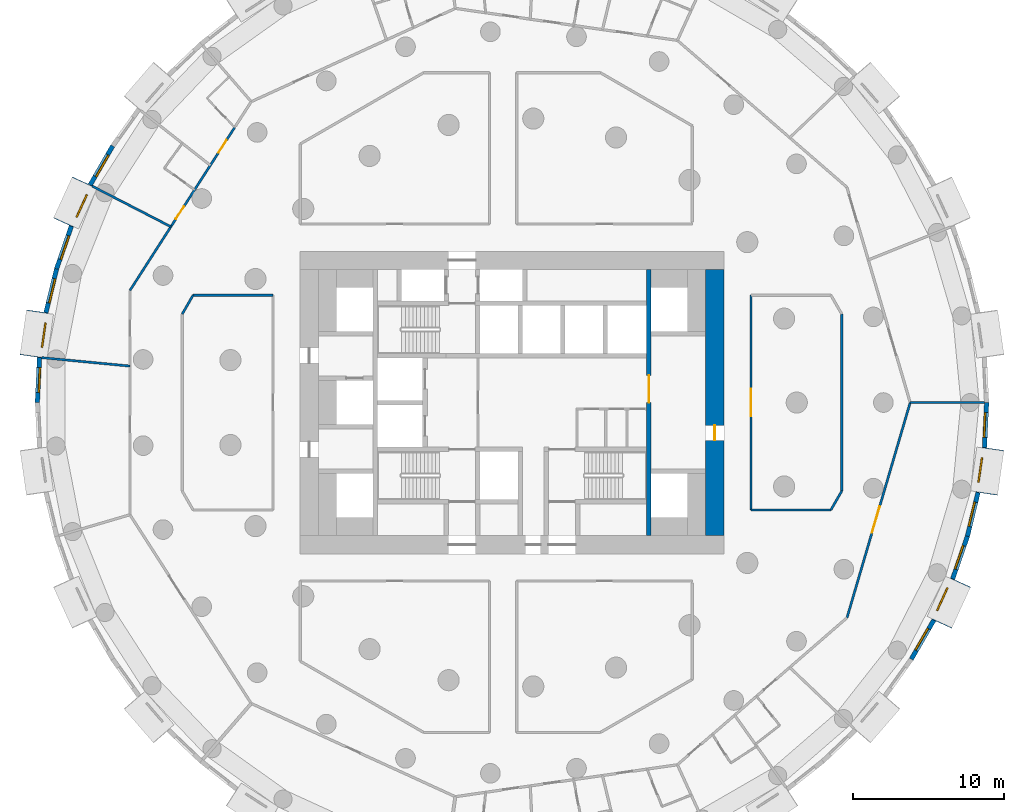
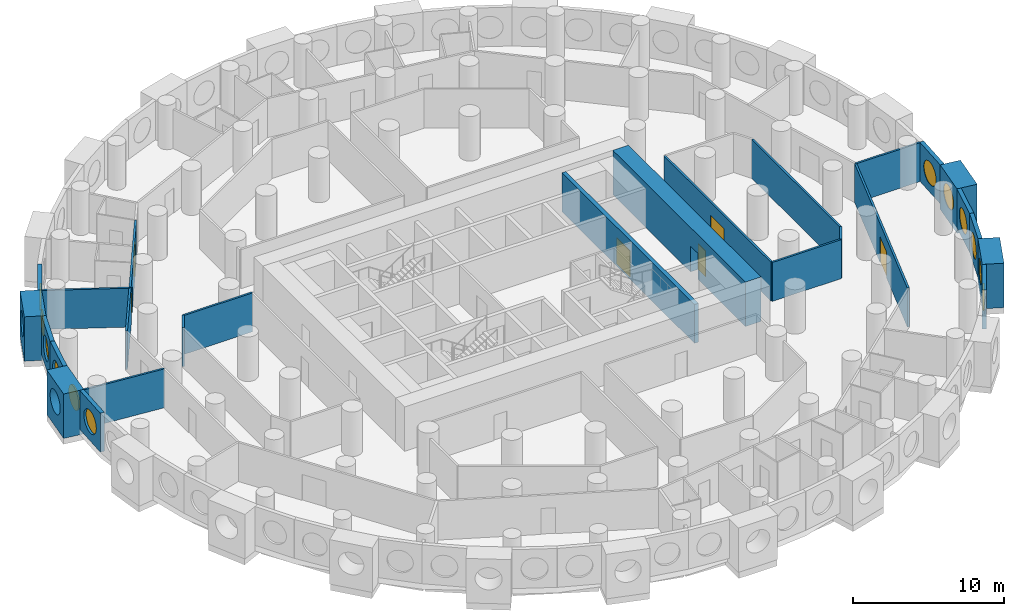
# One storey, part 6 of 11: 25 walls, 12 windows, 6 doors, 18 openings.
"""IFC4 building model written with IfcOpenShell, lengths in metres."""

from ifc_helpers import new_model, si_unit, direction, frame, frame_2d, origin, origin_2d, place, context, subcontext, project, spatial, rectangle, circle, extrude, material, layer, layer_set, type_object, element, fill, save


model = new_model("IFC4")

# Units and contexts
model_context = context("Model", 3, precision=1e-05, world=origin(), true_north=direction((0.0, 1.0)))
body_context = subcontext(model_context, "Body", "Model", "MODEL_VIEW")
ifc_project = project(units=[si_unit("LENGTHUNIT", "METRE"), si_unit("AREAUNIT", "SQUARE_METRE"), si_unit("VOLUMEUNIT", "CUBIC_METRE"), si_unit("PLANEANGLEUNIT", "RADIAN"), si_unit("MASSUNIT", "GRAM", prefix="KILO")], contexts=[model_context])

# Site, building, storey
site_placement = place(None, origin())
site = spatial("IfcSite", under=ifc_project, at=site_placement, CompositionType="ELEMENT")
building_placement = place(site_placement, origin())
building = spatial("IfcBuilding", under=site, at=building_placement, Name="Tracery Tower", CompositionType="ELEMENT")
storey_placement = place(building_placement, frame((0.0, 0.0, 100.199951171875)))
storey = spatial("IfcBuildingStorey", under=building, at=storey_placement, Name="L25", CompositionType="ELEMENT", Elevation=100.199951171875)

# Wall, opening, door
ifc_material_1 = material(Name="Concrete C60/75", Category="concrete")
ifc_layer_1 = layer(ifc_material_1, 1.199951171875)
ifc_layer_set_1 = layer_set([ifc_layer_1], Name="Core wall 1200 C60")
wall_type_1 = type_object("IfcWallType", Name="Core wall 1200 C60", PredefinedType="SOLIDWALL", material=ifc_layer_set_1)
wall_1_placement = place(storey_placement, frame((13.39990234375, -8.800048828125, 0.0), z_axis=(0.0, 0.0, 1.0), x_axis=(0.0, 1.0, 0.0)))
wall_1 = element("IfcWall", 1, at=wall_1_placement, inside=storey, type_object=wall_type_1, Name="L25 outer E", PredefinedType="SOLIDWALL", context=body_context, shape_type="SweptSolid", body=[
    extrude(rectangle(XDim=17.60009765625, YDim=1.199951171875, at=frame_2d((8.800048828125, 0.0))), origin(), (0.0, 0.0, 1.0), 3.60009765625),
])
opening_1_placement = place(wall_1_placement, frame((6.300048828125, 0.0, 0.0)))
opening_1 = element("IfcOpeningElement", 2, at=opening_1_placement, cuts=wall_1, Name="Opening KD18", PredefinedType="OPENING", context=body_context, shape_type="SweptSolid", body=[
    extrude(rectangle(XDim=1.0, YDim=2.10009765625, at=frame_2d((0.5, 1.050048828125))), frame((0.0, 0.60009765625, 0.0), z_axis=(0.0, -1.0, 0.0), x_axis=(1.0, 0.0, 0.0)), (0.0, 0.0, 1.0), 1.199951171875),
])
ifc_material_2 = material(Name="Steel fire door", Category="steel")
door_type_1 = type_object("IfcDoorType", Name="Core exit door 1000", OperationType="NOTDEFINED", PredefinedType="DOOR", material=ifc_material_2)
door_1_placement = place(opening_1_placement, origin())
door_1 = element("IfcDoor", 3, at=door_1_placement, inside=storey, type_object=door_type_1, Name="Core exit door", OperationType="DOUBLE_DOOR_SINGLE_SWING", OverallHeight=2.10009765625, OverallWidth=1.0, PredefinedType="DOOR", context=body_context, shape_type="SweptSolid", body=[
    extrude(rectangle(XDim=1.0, YDim=2.10009765625, at=frame_2d((0.5, 1.050048828125))), frame((0.0, 0.02490234375, 0.0), z_axis=(0.0, -1.0, 0.0), x_axis=(1.0, 0.0, 0.0)), (0.0, 0.0, 1.0), 0.050048828125),
])
fill(opening_1, door_1)

# Wall, opening, window
ifc_material_3 = material(Name="Precast concrete C50/60", Category="concrete")
ifc_layer_2 = layer(ifc_material_3, 1.449951171875)
ifc_layer_set_2 = layer_set([ifc_layer_2], Name="Deep-set bay unit 3000 x 3600, slab edge 450")
wall_type_2 = type_object("IfcWallType", Name="Deep-set bay unit 3000 x 3600, slab edge 450", PredefinedType="ELEMENTEDWALL", material=ifc_layer_set_2)
wall_2_placement = place(storey_placement, frame((-28.40673828125, 14.6220703125, -0.449951171875), z_axis=(0.0, 0.0, 1.0), x_axis=(-0.415427028395, -0.909626508012, 0.0)))
wall_2 = element("IfcWall", 4, at=wall_2_placement, inside=storey, type_object=wall_type_2, Name="Deep-set bay unit 29 at L25", PredefinedType="ELEMENTEDWALL", context=body_context, shape_type="SweptSolid", body=[
    extrude(rectangle(XDim=3.000244140625, YDim=1.449951171875, at=frame_2d((1.5, 0.0))), origin(), (0.0, 0.0, 1.0), 3.60009765625),
])
opening_2_placement = place(wall_2_placement, frame((1.5, 0.0, 2.0)))
opening_2 = element("IfcOpeningElement", 5, at=opening_2_placement, cuts=wall_2, Name="Opening WN1", PredefinedType="OPENING", context=body_context, shape_type="SweptSolid", body=[
    extrude(circle(Radius=0.9000244140625, at=origin_2d()), frame((0.0, 0.73486328125, 0.0), z_axis=(0.0, -1.0, 0.0), x_axis=(1.0, 0.0, 0.0)), (0.0, 0.0, 1.0), 1.469970703125),
])
ifc_material_4 = material(Name="Aluminium frame with tinted double glazing", Category="aluminium")
window_type = type_object("IfcWindowType", Name="Round window 1800", PartitioningType="SINGLE_PANEL", PredefinedType="WINDOW", material=ifc_material_4)
window_1_placement = place(opening_2_placement, origin())
window_1 = element("IfcWindow", 6, at=window_1_placement, inside=storey, type_object=window_type, Name="Round window 29 at L25", OverallHeight=1.800048828125, OverallWidth=1.800048828125, PartitioningType="SINGLE_PANEL", PredefinedType="WINDOW", context=body_context, shape_type="SweptSolid", body=[
    extrude(circle(Radius=0.9000244140625, at=origin_2d()), frame((0.0, 0.69482421875, 0.0), z_axis=(0.0, -1.0, 0.0), x_axis=(1.0, 0.0, 0.0)), (0.0, 0.0, 1.0), 0.10009765625),
])
fill(opening_2, window_1)

wall_3_placement = place(storey_placement, frame((-31.37548828125, 6.026611328125, -0.449951171875), z_axis=(0.0, 0.0, 1.0), x_axis=(-0.142332746704, -0.989818866872, 0.0)))
wall_3 = element("IfcWall", 7, at=wall_3_placement, inside=storey, type_object=wall_type_2, Name="Deep-set bay unit 32 at L25", PredefinedType="ELEMENTEDWALL", context=body_context, shape_type="SweptSolid", body=[
    extrude(rectangle(XDim=3.0, YDim=1.449951171875, at=frame_2d((1.5, 0.0))), origin(), (0.0, 0.0, 1.0), 3.60009765625),
])
opening_3_placement = place(wall_3_placement, frame((1.5, 0.0, 2.0)))
opening_3 = element("IfcOpeningElement", 8, at=opening_3_placement, cuts=wall_3, Name="Opening WN1", PredefinedType="OPENING", context=body_context, shape_type="SweptSolid", body=[
    extrude(circle(Radius=0.9000244140625, at=origin_2d()), frame((0.0, 0.73486328125, 0.0), z_axis=(0.0, -1.0, 0.0), x_axis=(1.0, 0.0, 0.0)), (0.0, 0.0, 1.0), 1.469970703125),
])
window_2_placement = place(opening_3_placement, origin())
window_2 = element("IfcWindow", 9, at=window_2_placement, inside=storey, type_object=window_type, Name="Round window 32 at L25", OverallHeight=1.800048828125, OverallWidth=1.800048828125, PartitioningType="SINGLE_PANEL", PredefinedType="WINDOW", context=body_context, shape_type="SweptSolid", body=[
    extrude(circle(Radius=0.9000244140625, at=origin_2d()), frame((0.0, 0.69482421875, 0.0), z_axis=(0.0, -1.0, 0.0), x_axis=(1.0, 0.0, 0.0)), (0.0, 0.0, 1.0), 0.10009765625),
])
fill(opening_3, window_2)

wall_4_placement = place(storey_placement, frame((28.40673828125, -14.6220703125, -0.449951171875), z_axis=(0.0, 0.0, 1.0), x_axis=(0.415427028395, 0.909626508012, 0.0)))
wall_4 = element("IfcWall", 10, at=wall_4_placement, inside=storey, type_object=wall_type_2, Name="Deep-set bay unit 62 at L25", PredefinedType="ELEMENTEDWALL", context=body_context, shape_type="SweptSolid", body=[
    extrude(rectangle(XDim=3.000244140625, YDim=1.449951171875, at=frame_2d((1.5, 0.0))), origin(), (0.0, 0.0, 1.0), 3.60009765625),
])
opening_4_placement = place(wall_4_placement, frame((1.5, 0.0, 2.0)))
opening_4 = element("IfcOpeningElement", 11, at=opening_4_placement, cuts=wall_4, Name="Opening WN1", PredefinedType="OPENING", context=body_context, shape_type="SweptSolid", body=[
    extrude(circle(Radius=0.9000244140625, at=origin_2d()), frame((0.0, 0.73486328125, 0.0), z_axis=(0.0, -1.0, 0.0), x_axis=(1.0, 0.0, 0.0)), (0.0, 0.0, 1.0), 1.469970703125),
])
window_3_placement = place(opening_4_placement, origin())
window_3 = element("IfcWindow", 12, at=window_3_placement, inside=storey, type_object=window_type, Name="Round window 62 at L25", OverallHeight=1.800048828125, OverallWidth=1.800048828125, PartitioningType="SINGLE_PANEL", PredefinedType="WINDOW", context=body_context, shape_type="SweptSolid", body=[
    extrude(circle(Radius=0.9000244140625, at=origin_2d()), frame((0.0, 0.69482421875, 0.0), z_axis=(0.0, -1.0, 0.0), x_axis=(1.0, 0.0, 0.0)), (0.0, 0.0, 1.0), 0.10009765625),
])
fill(opening_4, window_3)

wall_5_placement = place(storey_placement, frame((31.37548828125, -6.026611328125, -0.449951171875), z_axis=(0.0, 0.0, 1.0), x_axis=(0.142332746704, 0.989818866872, 0.0)))
wall_5 = element("IfcWall", 13, at=wall_5_placement, inside=storey, type_object=wall_type_2, Name="Deep-set bay unit 65 at L25", PredefinedType="ELEMENTEDWALL", context=body_context, shape_type="SweptSolid", body=[
    extrude(rectangle(XDim=3.0, YDim=1.449951171875, at=frame_2d((1.5, 0.0))), origin(), (0.0, 0.0, 1.0), 3.60009765625),
])
opening_5_placement = place(wall_5_placement, frame((1.5, 0.0, 2.0)))
opening_5 = element("IfcOpeningElement", 14, at=opening_5_placement, cuts=wall_5, Name="Opening WN1", PredefinedType="OPENING", context=body_context, shape_type="SweptSolid", body=[
    extrude(circle(Radius=0.9000244140625, at=origin_2d()), frame((0.0, 0.73486328125, 0.0), z_axis=(0.0, -1.0, 0.0), x_axis=(1.0, 0.0, 0.0)), (0.0, 0.0, 1.0), 1.469970703125),
])
window_4_placement = place(opening_5_placement, origin())
window_4 = element("IfcWindow", 15, at=window_4_placement, inside=storey, type_object=window_type, Name="Round window 65 at L25", OverallHeight=1.800048828125, OverallWidth=1.800048828125, PartitioningType="SINGLE_PANEL", PredefinedType="WINDOW", context=body_context, shape_type="SweptSolid", body=[
    extrude(circle(Radius=0.9000244140625, at=origin_2d()), frame((0.0, 0.69482421875, 0.0), z_axis=(0.0, -1.0, 0.0), x_axis=(1.0, 0.0, 0.0)), (0.0, 0.0, 1.0), 0.10009765625),
])
fill(opening_5, window_4)

ifc_material_5 = material(Name="Precast concrete C50/60", Category="concrete")
ifc_layer_3 = layer(ifc_material_5, 0.300048828125)
ifc_layer_set_3 = layer_set([ifc_layer_3], Name="Facade panel 3000 x 3150")
wall_type_3 = type_object("IfcWallType", Name="Facade panel 3000 x 3150", PredefinedType="SOLIDWALL", material=ifc_layer_set_3)
wall_6_placement = place(storey_placement, frame((-26.393798828125, 16.96240234375, 0.0), z_axis=(0.0, 0.0, 1.0), x_axis=(-0.500025049464, -0.866010940986, 0.0)))
wall_6 = element("IfcWall", 16, at=wall_6_placement, inside=storey, type_object=wall_type_3, Name="Facade panel 28 at L25", PredefinedType="SOLIDWALL", context=body_context, shape_type="SweptSolid", body=[
    extrude(rectangle(XDim=2.979736328125, YDim=0.300048828125, at=frame_2d((1.48974609375, 0.0))), origin(), (0.0, 0.0, 1.0), 3.150146484375),
])
opening_6_placement = place(wall_6_placement, frame((1.48974609375, 0.0, 1.5498046875)))
opening_6 = element("IfcOpeningElement", 17, at=opening_6_placement, cuts=wall_6, Name="Opening WN1", PredefinedType="OPENING", context=body_context, shape_type="SweptSolid", body=[
    extrude(circle(Radius=0.9000244140625, at=origin_2d()), frame((0.0, 0.159912109375, 0.0), z_axis=(0.0, -1.0, 0.0), x_axis=(1.0, 0.0, 0.0)), (0.0, 0.0, 1.0), 0.320068359375),
])
window_5_placement = place(opening_6_placement, origin())
window_5 = element("IfcWindow", 18, at=window_5_placement, inside=storey, type_object=window_type, Name="Round window 28 at L25", OverallHeight=1.800048828125, OverallWidth=1.800048828125, PartitioningType="SINGLE_PANEL", PredefinedType="WINDOW", context=body_context, shape_type="SweptSolid", body=[
    extrude(circle(Radius=0.9000244140625, at=origin_2d()), frame((0.0, 0.1201171875, 0.0), z_axis=(0.0, -1.0, 0.0), x_axis=(1.0, 0.0, 0.0)), (0.0, 0.0, 1.0), 0.10009765625),
])
fill(opening_6, window_5)

wall_7_placement = place(storey_placement, frame((-29.12890625, 11.655029296875, 0.0), z_axis=(0.0, 0.0, 1.0), x_axis=(-0.327071167136, -0.944999709856, 0.0)))
wall_7 = element("IfcWall", 19, at=wall_7_placement, inside=storey, type_object=wall_type_3, Name="Facade panel 30 at L25", PredefinedType="SOLIDWALL", context=body_context, shape_type="SweptSolid", body=[
    extrude(rectangle(XDim=2.979736328125, YDim=0.300048828125, at=frame_2d((1.48974609375, 0.0))), origin(), (0.0, 0.0, 1.0), 3.150146484375),
])
opening_7_placement = place(wall_7_placement, frame((1.48974609375, 0.0, 1.5498046875)))
opening_7 = element("IfcOpeningElement", 20, at=opening_7_placement, cuts=wall_7, Name="Opening WN1", PredefinedType="OPENING", context=body_context, shape_type="SweptSolid", body=[
    extrude(circle(Radius=0.9000244140625, at=origin_2d()), frame((0.0, 0.159912109375, 0.0), z_axis=(0.0, -1.0, 0.0), x_axis=(1.0, 0.0, 0.0)), (0.0, 0.0, 1.0), 0.320068359375),
])
window_6_placement = place(opening_7_placement, origin())
window_6 = element("IfcWindow", 21, at=window_6_placement, inside=storey, type_object=window_type, Name="Round window 30 at L25", OverallHeight=1.800048828125, OverallWidth=1.800048828125, PartitioningType="SINGLE_PANEL", PredefinedType="WINDOW", context=body_context, shape_type="SweptSolid", body=[
    extrude(circle(Radius=0.9000244140625, at=origin_2d()), frame((0.0, 0.1201171875, 0.0), z_axis=(0.0, -1.0, 0.0), x_axis=(1.0, 0.0, 0.0)), (0.0, 0.0, 1.0), 0.10009765625),
])
fill(opening_7, window_6)

wall_8_placement = place(storey_placement, frame((-30.103515625, 8.839111328125, 0.0), z_axis=(0.0, 0.0, 1.0), x_axis=(-0.235743081534, -0.971815414319, 0.0)))
wall_8 = element("IfcWall", 22, at=wall_8_placement, inside=storey, type_object=wall_type_3, Name="Facade panel 31 at L25", PredefinedType="SOLIDWALL", context=body_context, shape_type="SweptSolid", body=[
    extrude(rectangle(XDim=2.9794921875, YDim=0.300048828125, at=frame_2d((1.48974609375, 0.0))), origin(), (0.0, 0.0, 1.0), 3.150146484375),
])
opening_8_placement = place(wall_8_placement, frame((1.48974609375, 0.0, 1.5498046875)))
opening_8 = element("IfcOpeningElement", 23, at=opening_8_placement, cuts=wall_8, Name="Opening WN1", PredefinedType="OPENING", context=body_context, shape_type="SweptSolid", body=[
    extrude(circle(Radius=0.9000244140625, at=origin_2d()), frame((0.0, 0.159912109375, 0.0), z_axis=(0.0, -1.0, 0.0), x_axis=(1.0, 0.0, 0.0)), (0.0, 0.0, 1.0), 0.320068359375),
])
window_7_placement = place(opening_8_placement, origin())
window_7 = element("IfcWindow", 24, at=window_7_placement, inside=storey, type_object=window_type, Name="Round window 31 at L25", OverallHeight=1.800048828125, OverallWidth=1.800048828125, PartitioningType="SINGLE_PANEL", PredefinedType="WINDOW", context=body_context, shape_type="SweptSolid", body=[
    extrude(circle(Radius=0.9000244140625, at=origin_2d()), frame((0.0, 0.1201171875, 0.0), z_axis=(0.0, -1.0, 0.0), x_axis=(1.0, 0.0, 0.0)), (0.0, 0.0, 1.0), 0.10009765625),
])
fill(opening_8, window_7)

wall_9_placement = place(storey_placement, frame((-31.232666015625, 2.976318359375, 0.0), z_axis=(0.0, 0.0, 1.0), x_axis=(-0.047604077644, -0.998866283239, 0.0)))
wall_9 = element("IfcWall", 25, at=wall_9_placement, inside=storey, type_object=wall_type_3, Name="Facade panel 33 at L25", PredefinedType="SOLIDWALL", context=body_context, shape_type="SweptSolid", body=[
    extrude(rectangle(XDim=2.979736328125, YDim=0.300048828125, at=frame_2d((1.48974609375, 0.0))), origin(), (0.0, 0.0, 1.0), 3.150146484375),
])
opening_9_placement = place(wall_9_placement, frame((1.48974609375, 0.0, 1.5498046875)))
opening_9 = element("IfcOpeningElement", 26, at=opening_9_placement, cuts=wall_9, Name="Opening WN1", PredefinedType="OPENING", context=body_context, shape_type="SweptSolid", body=[
    extrude(circle(Radius=0.9000244140625, at=origin_2d()), frame((0.0, 0.159912109375, 0.0), z_axis=(0.0, -1.0, 0.0), x_axis=(1.0, 0.0, 0.0)), (0.0, 0.0, 1.0), 0.320068359375),
])
window_8_placement = place(opening_9_placement, origin())
window_8 = element("IfcWindow", 27, at=window_8_placement, inside=storey, type_object=window_type, Name="Round window 33 at L25", OverallHeight=1.800048828125, OverallWidth=1.800048828125, PartitioningType="SINGLE_PANEL", PredefinedType="WINDOW", context=body_context, shape_type="SweptSolid", body=[
    extrude(circle(Radius=0.9000244140625, at=origin_2d()), frame((0.0, 0.1201171875, 0.0), z_axis=(0.0, -1.0, 0.0), x_axis=(1.0, 0.0, 0.0)), (0.0, 0.0, 1.0), 0.10009765625),
])
fill(opening_9, window_8)

wall_10_placement = place(storey_placement, frame((26.393798828125, -16.96240234375, 0.0), z_axis=(0.0, 0.0, 1.0), x_axis=(0.500025049464, 0.866010940986, 0.0)))
wall_10 = element("IfcWall", 28, at=wall_10_placement, inside=storey, type_object=wall_type_3, Name="Facade panel 61 at L25", PredefinedType="SOLIDWALL", context=body_context, shape_type="SweptSolid", body=[
    extrude(rectangle(XDim=2.979736328125, YDim=0.300048828125, at=frame_2d((1.48974609375, 0.0))), origin(), (0.0, 0.0, 1.0), 3.150146484375),
])
opening_10_placement = place(wall_10_placement, frame((1.48974609375, 0.0, 1.5498046875)))
opening_10 = element("IfcOpeningElement", 29, at=opening_10_placement, cuts=wall_10, Name="Opening WN1", PredefinedType="OPENING", context=body_context, shape_type="SweptSolid", body=[
    extrude(circle(Radius=0.9000244140625, at=origin_2d()), frame((0.0, 0.159912109375, 0.0), z_axis=(0.0, -1.0, 0.0), x_axis=(1.0, 0.0, 0.0)), (0.0, 0.0, 1.0), 0.320068359375),
])
window_9_placement = place(opening_10_placement, origin())
window_9 = element("IfcWindow", 30, at=window_9_placement, inside=storey, type_object=window_type, Name="Round window 61 at L25", OverallHeight=1.800048828125, OverallWidth=1.800048828125, PartitioningType="SINGLE_PANEL", PredefinedType="WINDOW", context=body_context, shape_type="SweptSolid", body=[
    extrude(circle(Radius=0.9000244140625, at=origin_2d()), frame((0.0, 0.1201171875, 0.0), z_axis=(0.0, -1.0, 0.0), x_axis=(1.0, 0.0, 0.0)), (0.0, 0.0, 1.0), 0.10009765625),
])
fill(opening_10, window_9)

wall_11_placement = place(storey_placement, frame((29.12890625, -11.655029296875, 0.0), z_axis=(0.0, 0.0, 1.0), x_axis=(0.327071167136, 0.944999709856, 0.0)))
wall_11 = element("IfcWall", 31, at=wall_11_placement, inside=storey, type_object=wall_type_3, Name="Facade panel 63 at L25", PredefinedType="SOLIDWALL", context=body_context, shape_type="SweptSolid", body=[
    extrude(rectangle(XDim=2.979736328125, YDim=0.300048828125, at=frame_2d((1.48974609375, 0.0))), origin(), (0.0, 0.0, 1.0), 3.150146484375),
])
opening_11_placement = place(wall_11_placement, frame((1.48974609375, 0.0, 1.5498046875)))
opening_11 = element("IfcOpeningElement", 32, at=opening_11_placement, cuts=wall_11, Name="Opening WN1", PredefinedType="OPENING", context=body_context, shape_type="SweptSolid", body=[
    extrude(circle(Radius=0.9000244140625, at=origin_2d()), frame((0.0, 0.159912109375, 0.0), z_axis=(0.0, -1.0, 0.0), x_axis=(1.0, 0.0, 0.0)), (0.0, 0.0, 1.0), 0.320068359375),
])
window_10_placement = place(opening_11_placement, origin())
window_10 = element("IfcWindow", 33, at=window_10_placement, inside=storey, type_object=window_type, Name="Round window 63 at L25", OverallHeight=1.800048828125, OverallWidth=1.800048828125, PartitioningType="SINGLE_PANEL", PredefinedType="WINDOW", context=body_context, shape_type="SweptSolid", body=[
    extrude(circle(Radius=0.9000244140625, at=origin_2d()), frame((0.0, 0.1201171875, 0.0), z_axis=(0.0, -1.0, 0.0), x_axis=(1.0, 0.0, 0.0)), (0.0, 0.0, 1.0), 0.10009765625),
])
fill(opening_11, window_10)

wall_12_placement = place(storey_placement, frame((30.103515625, -8.839111328125, 0.0), z_axis=(0.0, 0.0, 1.0), x_axis=(0.235743081534, 0.971815414319, 0.0)))
wall_12 = element("IfcWall", 34, at=wall_12_placement, inside=storey, type_object=wall_type_3, Name="Facade panel 64 at L25", PredefinedType="SOLIDWALL", context=body_context, shape_type="SweptSolid", body=[
    extrude(rectangle(XDim=2.9794921875, YDim=0.300048828125, at=frame_2d((1.48974609375, 0.0))), origin(), (0.0, 0.0, 1.0), 3.150146484375),
])
opening_12_placement = place(wall_12_placement, frame((1.48974609375, 0.0, 1.5498046875)))
opening_12 = element("IfcOpeningElement", 35, at=opening_12_placement, cuts=wall_12, Name="Opening WN1", PredefinedType="OPENING", context=body_context, shape_type="SweptSolid", body=[
    extrude(circle(Radius=0.9000244140625, at=origin_2d()), frame((0.0, 0.159912109375, 0.0), z_axis=(0.0, -1.0, 0.0), x_axis=(1.0, 0.0, 0.0)), (0.0, 0.0, 1.0), 0.320068359375),
])
window_11_placement = place(opening_12_placement, origin())
window_11 = element("IfcWindow", 36, at=window_11_placement, inside=storey, type_object=window_type, Name="Round window 64 at L25", OverallHeight=1.800048828125, OverallWidth=1.800048828125, PartitioningType="SINGLE_PANEL", PredefinedType="WINDOW", context=body_context, shape_type="SweptSolid", body=[
    extrude(circle(Radius=0.9000244140625, at=origin_2d()), frame((0.0, 0.1201171875, 0.0), z_axis=(0.0, -1.0, 0.0), x_axis=(1.0, 0.0, 0.0)), (0.0, 0.0, 1.0), 0.10009765625),
])
fill(opening_12, window_11)

wall_13_placement = place(storey_placement, frame((31.232666015625, -2.976318359375, 0.0), z_axis=(0.0, 0.0, 1.0), x_axis=(0.047604077644, 0.998866283239, 0.0)))
wall_13 = element("IfcWall", 37, at=wall_13_placement, inside=storey, type_object=wall_type_3, Name="Facade panel 66 at L25", PredefinedType="SOLIDWALL", context=body_context, shape_type="SweptSolid", body=[
    extrude(rectangle(XDim=2.979736328125, YDim=0.300048828125, at=frame_2d((1.48974609375, 0.0))), origin(), (0.0, 0.0, 1.0), 3.150146484375),
])
opening_13_placement = place(wall_13_placement, frame((1.48974609375, 0.0, 1.5498046875)))
opening_13 = element("IfcOpeningElement", 38, at=opening_13_placement, cuts=wall_13, Name="Opening WN1", PredefinedType="OPENING", context=body_context, shape_type="SweptSolid", body=[
    extrude(circle(Radius=0.9000244140625, at=origin_2d()), frame((0.0, 0.159912109375, 0.0), z_axis=(0.0, -1.0, 0.0), x_axis=(1.0, 0.0, 0.0)), (0.0, 0.0, 1.0), 0.320068359375),
])
window_12_placement = place(opening_13_placement, origin())
window_12 = element("IfcWindow", 39, at=window_12_placement, inside=storey, type_object=window_type, Name="Round window 66 at L25", OverallHeight=1.800048828125, OverallWidth=1.800048828125, PartitioningType="SINGLE_PANEL", PredefinedType="WINDOW", context=body_context, shape_type="SweptSolid", body=[
    extrude(circle(Radius=0.9000244140625, at=origin_2d()), frame((0.0, 0.1201171875, 0.0), z_axis=(0.0, -1.0, 0.0), x_axis=(1.0, 0.0, 0.0)), (0.0, 0.0, 1.0), 0.10009765625),
])
fill(opening_13, window_12)

# Walls
ifc_material_6 = material(Name="Plasterboard on steel studs", Category="steel")
ifc_layer_4 = layer(ifc_material_6, 0.14990234375)
ifc_layer_set_4 = layer_set([ifc_layer_4], Name="Partition 150 acoustic unit wall")
wall_type_4 = type_object("IfcWallType", Name="Partition 150 acoustic unit wall", PredefinedType="PARTITIONING", material=ifc_layer_set_4)
wall_14_placement = place(storey_placement, frame((26.319091796875, 0.0, 0.0), z_axis=(0.0, 0.0, 1.0), x_axis=(1.0, 0.0, 0.0)))
element("IfcWall", 40, at=wall_14_placement, inside=storey, type_object=wall_type_4, Name="Unit wall RA7-047", PredefinedType="PARTITIONING", context=body_context, shape_type="SweptSolid", body=[
    extrude(rectangle(XDim=4.905029296875, YDim=0.14990234375, at=frame_2d((2.45263671875, 0.0))), origin(), (0.0, 0.0, 1.0), 3.150146484375),
])
wall_15_placement = place(storey_placement, frame((-27.7529296875, 14.30810546875, 0.0), z_axis=(0.0, 0.0, 1.0), x_axis=(0.88877955153, -0.45833493079, 0.0)))
element("IfcWall", 41, at=wall_15_placement, inside=storey, type_object=wall_type_4, Name="Unit wall RA7-068", PredefinedType="PARTITIONING", context=body_context, shape_type="SweptSolid", body=[
    extrude(rectangle(XDim=5.856201171875, YDim=0.14990234375, at=frame_2d((2.92822265625, 0.0))), origin(), (0.0, 0.0, 1.0), 3.150146484375),
])
wall_16_placement = place(storey_placement, frame((-31.0830078125, 2.968017578125, 0.0), z_axis=(0.0, 0.0, 1.0), x_axis=(0.995465070325, -0.095127775983, 0.0)))
element("IfcWall", 42, at=wall_16_placement, inside=storey, type_object=wall_type_4, Name="Unit wall RA7-069", PredefinedType="PARTITIONING", context=body_context, shape_type="SweptSolid", body=[
    extrude(rectangle(XDim=5.856689453125, YDim=0.14990234375, at=frame_2d((2.92822265625, 0.0))), origin(), (0.0, 0.0, 1.0), 3.150146484375),
])

# Wall, opening, door
ifc_material_7 = material(Name="Plasterboard on steel studs", Category="steel")
ifc_layer_5 = layer(ifc_material_7, 0.14990234375)
ifc_layer_set_5 = layer_set([ifc_layer_5], Name="Partition 150 corridor wall")
wall_type_5 = type_object("IfcWallType", Name="Partition 150 corridor wall", PredefinedType="PARTITIONING", material=ifc_layer_set_5)
wall_17_placement = place(storey_placement, frame((15.800048828125, -7.10400390625, 0.0), z_axis=(0.0, 0.0, 1.0), x_axis=(0.0, 1.0, 0.0)))
wall_17 = element("IfcWall", 43, at=wall_17_placement, inside=storey, type_object=wall_type_5, Name="Corridor wall RA7-005", PredefinedType="PARTITIONING", context=body_context, shape_type="SweptSolid", body=[
    extrude(rectangle(XDim=14.2080078125, YDim=0.14990234375, at=frame_2d((7.10400390625, 0.0))), origin(), (0.0, 0.0, 1.0), 3.150146484375),
])
opening_14_placement = place(wall_17_placement, frame((6.2041015625, 0.0, 0.0)))
opening_14 = element("IfcOpeningElement", 44, at=opening_14_placement, cuts=wall_17, Name="Opening RA7-05", PredefinedType="OPENING", context=body_context, shape_type="SweptSolid", body=[
    extrude(rectangle(XDim=1.800048828125, YDim=2.10009765625, at=frame_2d((0.89990234375, 1.050048828125))), frame((0.0, 0.074951171875, 0.0), z_axis=(0.0, -1.0, 0.0), x_axis=(1.0, 0.0, 0.0)), (0.0, 0.0, 1.0), 0.14990234375),
])
ifc_material_8 = material(Name="Timber door leaf", Category="wood")
door_type_2 = type_object("IfcDoorType", Name="Door double lounge 1800", OperationType="NOTDEFINED", PredefinedType="DOOR", material=ifc_material_8)
door_2_placement = place(opening_14_placement, origin())
door_2 = element("IfcDoor", 45, at=door_2_placement, inside=storey, type_object=door_type_2, Name="Double lounge door RA7-05", OperationType="DOUBLE_DOOR_SINGLE_SWING", OverallHeight=2.10009765625, OverallWidth=1.800048828125, PredefinedType="DOOR", context=body_context, shape_type="SweptSolid", body=[
    extrude(rectangle(XDim=1.800048828125, YDim=2.10009765625, at=frame_2d((0.89990234375, 1.050048828125))), frame((0.0, 0.02490234375, 0.0), z_axis=(0.0, -1.0, 0.0), x_axis=(1.0, 0.0, 0.0)), (0.0, 0.0, 1.0), 0.050048828125),
])
fill(opening_14, door_2)

# Walls
wall_18_placement = place(storey_placement, frame((15.800048828125, -7.10009765625, 0.0), z_axis=(0.0, 0.0, 1.0), x_axis=(1.0, 0.0, 0.0)))
element("IfcWall", 46, at=wall_18_placement, inside=storey, type_object=wall_type_5, Name="Corridor wall RA7-007", PredefinedType="PARTITIONING", context=body_context, shape_type="SweptSolid", body=[
    extrude(rectangle(XDim=5.27587890625, YDim=0.14990234375, at=frame_2d((2.637939453125, 0.0))), origin(), (0.0, 0.0, 1.0), 3.150146484375),
])
wall_19_placement = place(storey_placement, frame((21.075927734375, -7.10009765625, 0.0), z_axis=(0.0, 0.0, 1.0), x_axis=(0.499863102386, 0.866104427234, 0.0)))
element("IfcWall", 47, at=wall_19_placement, inside=storey, type_object=wall_type_5, Name="Corridor wall RA7-008", PredefinedType="PARTITIONING", context=body_context, shape_type="SweptSolid", body=[
    extrude(rectangle(XDim=1.45263671875, YDim=0.14990234375, at=frame_2d((0.726318359375, 0.0))), origin(), (0.0, 0.0, 1.0), 3.150146484375),
])
wall_20_placement = place(storey_placement, frame((21.802001953125, -5.842041015625, 0.0), z_axis=(0.0, 0.0, 1.0), x_axis=(0.0, 1.0, 0.0)))
element("IfcWall", 48, at=wall_20_placement, inside=storey, type_object=wall_type_5, Name="Corridor wall RA7-009", PredefinedType="PARTITIONING", context=body_context, shape_type="SweptSolid", body=[
    extrude(rectangle(XDim=11.68408203125, YDim=0.14990234375, at=frame_2d((5.842041015625, 0.0))), origin(), (0.0, 0.0, 1.0), 3.150146484375),
])

# Wall, opening, door
wall_21_placement = place(storey_placement, frame((22.14111328125, -14.22900390625, 0.0), z_axis=(0.0, 0.0, 1.0), x_axis=(0.281730446162, 0.959493593363, 0.0)))
wall_21 = element("IfcWall", 49, at=wall_21_placement, inside=storey, type_object=wall_type_5, Name="Corridor wall RA7-015", PredefinedType="PARTITIONING", context=body_context, shape_type="SweptSolid", body=[
    extrude(rectangle(XDim=14.82958984375, YDim=0.14990234375, at=frame_2d((7.414794921875, 0.0))), origin(), (0.0, 0.0, 1.0), 3.150146484375),
])
opening_15_placement = place(wall_21_placement, frame((5.86474609375, 0.0, 0.0)))
opening_15 = element("IfcOpeningElement", 50, at=opening_15_placement, cuts=wall_21, Name="Opening RA7-37", PredefinedType="OPENING", context=body_context, shape_type="SweptSolid", body=[
    extrude(rectangle(XDim=1.800048828125, YDim=2.10009765625, at=frame_2d((0.89990234375, 1.050048828125))), frame((0.0, 0.074951171875, 0.0), z_axis=(0.0, -1.0, 0.0), x_axis=(1.0, 0.0, 0.0)), (0.0, 0.0, 1.0), 0.14990234375),
])
door_3_placement = place(opening_15_placement, origin())
door_3 = element("IfcDoor", 51, at=door_3_placement, inside=storey, type_object=door_type_2, Name="Double lounge door RA7-37", OperationType="DOUBLE_DOOR_SINGLE_SWING", OverallHeight=2.10009765625, OverallWidth=1.800048828125, PredefinedType="DOOR", context=body_context, shape_type="SweptSolid", body=[
    extrude(rectangle(XDim=1.800048828125, YDim=2.10009765625, at=frame_2d((0.89990234375, 1.050048828125))), frame((0.0, 0.02490234375, 0.0), z_axis=(0.0, -1.0, 0.0), x_axis=(1.0, 0.0, 0.0)), (0.0, 0.0, 1.0), 0.050048828125),
])
fill(opening_15, door_3)

# Walls
wall_22_placement = place(storey_placement, frame((-21.075927734375, 7.10009765625, 0.0), z_axis=(0.0, 0.0, 1.0), x_axis=(1.0, 0.0, 0.0)))
element("IfcWall", 52, at=wall_22_placement, inside=storey, type_object=wall_type_5, Name="Corridor wall RA7-028", PredefinedType="PARTITIONING", context=body_context, shape_type="SweptSolid", body=[
    extrude(rectangle(XDim=5.27587890625, YDim=0.14990234375, at=frame_2d((2.637939453125, 0.0))), origin(), (0.0, 0.0, 1.0), 3.150146484375),
])
wall_23_placement = place(storey_placement, frame((-21.802001953125, 5.842041015625, 0.0), z_axis=(0.0, 0.0, 1.0), x_axis=(0.499863102386, 0.866104427234, 0.0)))
element("IfcWall", 53, at=wall_23_placement, inside=storey, type_object=wall_type_5, Name="Corridor wall RA7-029", PredefinedType="PARTITIONING", context=body_context, shape_type="SweptSolid", body=[
    extrude(rectangle(XDim=1.45263671875, YDim=0.14990234375, at=frame_2d((0.726318359375, 0.0))), origin(), (0.0, 0.0, 1.0), 3.150146484375),
])

# Wall, openings, doors
wall_24_placement = place(storey_placement, frame((-25.2509765625, 7.413818359375, 0.0), z_axis=(0.0, 0.0, 1.0), x_axis=(0.540498462047, 0.84134500208, 0.0)))
wall_24 = element("IfcWall", 54, at=wall_24_placement, inside=storey, type_object=wall_type_5, Name="Corridor wall RA7-033", PredefinedType="PARTITIONING", context=body_context, shape_type="SweptSolid", body=[
    extrude(rectangle(XDim=12.810546875, YDim=0.14990234375, at=frame_2d((6.4052734375, 0.0))), origin(), (0.0, 0.0, 1.0), 3.150146484375),
])
opening_16_placement = place(wall_24_placement, frame((10.816650390625, 0.0, 0.0)))
opening_16 = element("IfcOpeningElement", 55, at=opening_16_placement, cuts=wall_24, Name="Opening RA7-20", PredefinedType="OPENING", context=body_context, shape_type="SweptSolid", body=[
    extrude(rectangle(XDim=1.0, YDim=2.10009765625, at=frame_2d((0.5, 1.050048828125))), frame((0.0, 0.074951171875, 0.0), z_axis=(0.0, -1.0, 0.0), x_axis=(1.0, 0.0, 0.0)), (0.0, 0.0, 1.0), 0.14990234375),
])
opening_17_placement = place(wall_24_placement, frame((5.602783203125, 0.0, 0.0)))
opening_17 = element("IfcOpeningElement", 56, at=opening_17_placement, cuts=wall_24, Name="Opening RA7-22", PredefinedType="OPENING", context=body_context, shape_type="SweptSolid", body=[
    extrude(rectangle(XDim=1.0, YDim=2.10009765625, at=frame_2d((0.5, 1.050048828125))), frame((0.0, 0.074951171875, 0.0), z_axis=(0.0, -1.0, 0.0), x_axis=(1.0, 0.0, 0.0)), (0.0, 0.0, 1.0), 0.14990234375),
])
ifc_material_9 = material(Name="Timber door leaf", Category="wood")
door_type_3 = type_object("IfcDoorType", Name="Door unit entrance 1000", OperationType="NOTDEFINED", PredefinedType="DOOR", material=ifc_material_9)
door_4_placement = place(opening_16_placement, origin())
door_4 = element("IfcDoor", 57, at=door_4_placement, inside=storey, type_object=door_type_3, Name="Unit entrance door RA7-20", OperationType="SINGLE_SWING_LEFT", OverallHeight=2.10009765625, OverallWidth=1.0, PredefinedType="DOOR", context=body_context, shape_type="SweptSolid", body=[
    extrude(rectangle(XDim=1.0, YDim=2.10009765625, at=frame_2d((0.5, 1.050048828125))), frame((0.0, 0.02490234375, 0.0), z_axis=(0.0, -1.0, 0.0), x_axis=(1.0, 0.0, 0.0)), (0.0, 0.0, 1.0), 0.050048828125),
])
fill(opening_16, door_4)
door_5_placement = place(opening_17_placement, origin())
door_5 = element("IfcDoor", 58, at=door_5_placement, inside=storey, type_object=door_type_3, Name="Unit entrance door RA7-22", OperationType="SINGLE_SWING_LEFT", OverallHeight=2.10009765625, OverallWidth=1.0, PredefinedType="DOOR", context=body_context, shape_type="SweptSolid", body=[
    extrude(rectangle(XDim=1.0, YDim=2.10009765625, at=frame_2d((0.5, 1.050048828125))), frame((0.0, 0.02490234375, 0.0), z_axis=(0.0, -1.0, 0.0), x_axis=(1.0, 0.0, 0.0)), (0.0, 0.0, 1.0), 0.050048828125),
])
fill(opening_17, door_5)

# Wall, opening, door
ifc_material_10 = material(Name="Concrete C60/75", Category="concrete")
ifc_layer_6 = layer(ifc_material_10, 0.300048828125)
ifc_layer_set_6 = layer_set([ifc_layer_6], Name="Stair wall 300 C60")
wall_type_6 = type_object("IfcWallType", Name="Stair wall 300 C60", PredefinedType="SOLIDWALL", material=ifc_layer_set_6)
wall_25_placement = place(storey_placement, frame((9.050048828125, -8.800048828125, 0.0), z_axis=(0.0, 0.0, 1.0), x_axis=(0.0, 1.0, 0.0)))
wall_25 = element("IfcWall", 59, at=wall_25_placement, inside=storey, type_object=wall_type_6, Name="L25 F wall +9", PredefinedType="SOLIDWALL", context=body_context, shape_type="SweptSolid", body=[
    extrude(rectangle(XDim=17.60009765625, YDim=0.300048828125, at=frame_2d((8.800048828125, 0.0))), origin(), (0.0, 0.0, 1.0), 3.150146484375),
])
opening_18_placement = place(wall_25_placement, frame((8.800048828125, 0.0, 0.0)))
opening_18 = element("IfcOpeningElement", 60, at=opening_18_placement, cuts=wall_25, Name="Opening KD13", PredefinedType="OPENING", context=body_context, shape_type="SweptSolid", body=[
    extrude(rectangle(XDim=1.800048828125, YDim=2.10009765625, at=frame_2d((0.89990234375, 1.050048828125))), frame((0.0, 0.14990234375, 0.0), z_axis=(0.0, -1.0, 0.0), x_axis=(1.0, 0.0, 0.0)), (0.0, 0.0, 1.0), 0.300048828125),
])
ifc_material_11 = material(Name="Steel fire door", Category="steel")
door_type_4 = type_object("IfcDoorType", Name="Core exit door 1800 double", OperationType="NOTDEFINED", PredefinedType="DOOR", material=ifc_material_11)
door_6_placement = place(opening_18_placement, origin())
door_6 = element("IfcDoor", 61, at=door_6_placement, inside=storey, type_object=door_type_4, Name="Core exit door", OperationType="DOUBLE_DOOR_SINGLE_SWING", OverallHeight=2.10009765625, OverallWidth=1.800048828125, PredefinedType="DOOR", context=body_context, shape_type="SweptSolid", body=[
    extrude(rectangle(XDim=1.800048828125, YDim=2.10009765625, at=frame_2d((0.89990234375, 1.050048828125))), frame((0.0, 0.02490234375, 0.0), z_axis=(0.0, -1.0, 0.0), x_axis=(1.0, 0.0, 0.0)), (0.0, 0.0, 1.0), 0.050048828125),
])
fill(opening_18, door_6)

save(model, "model.ifc")
